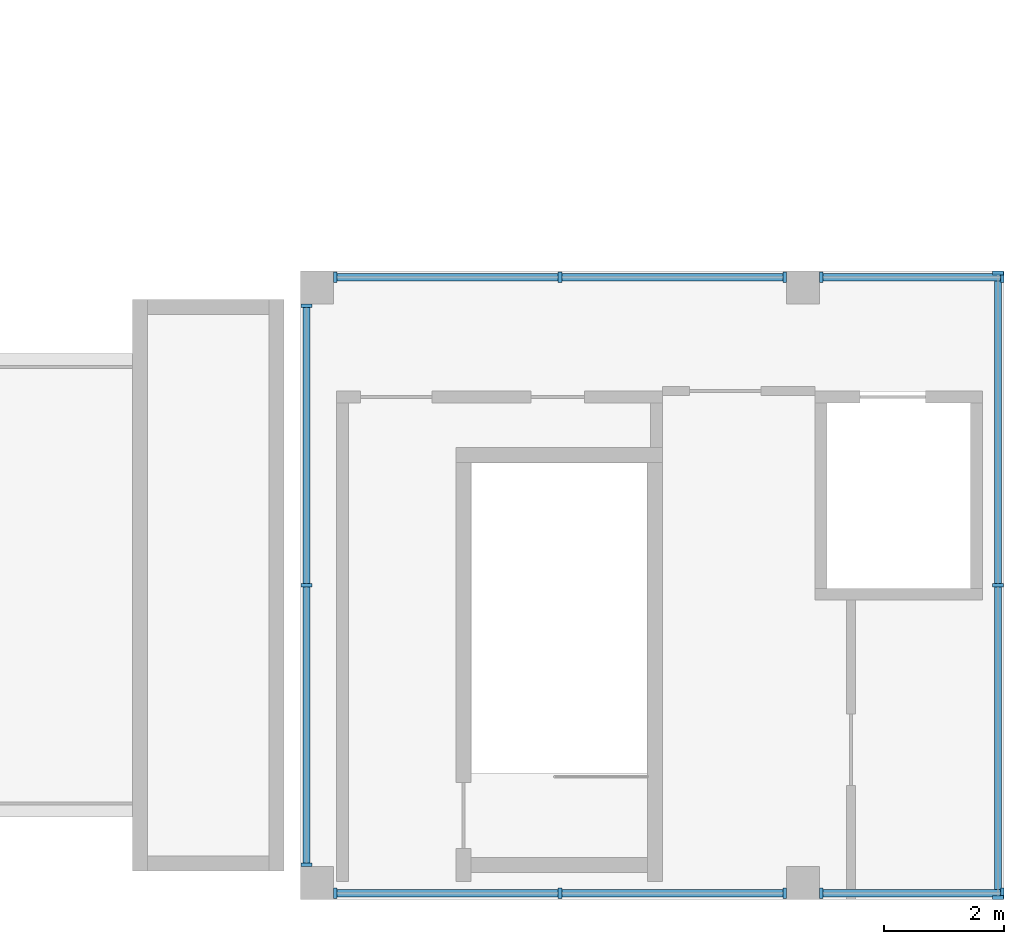
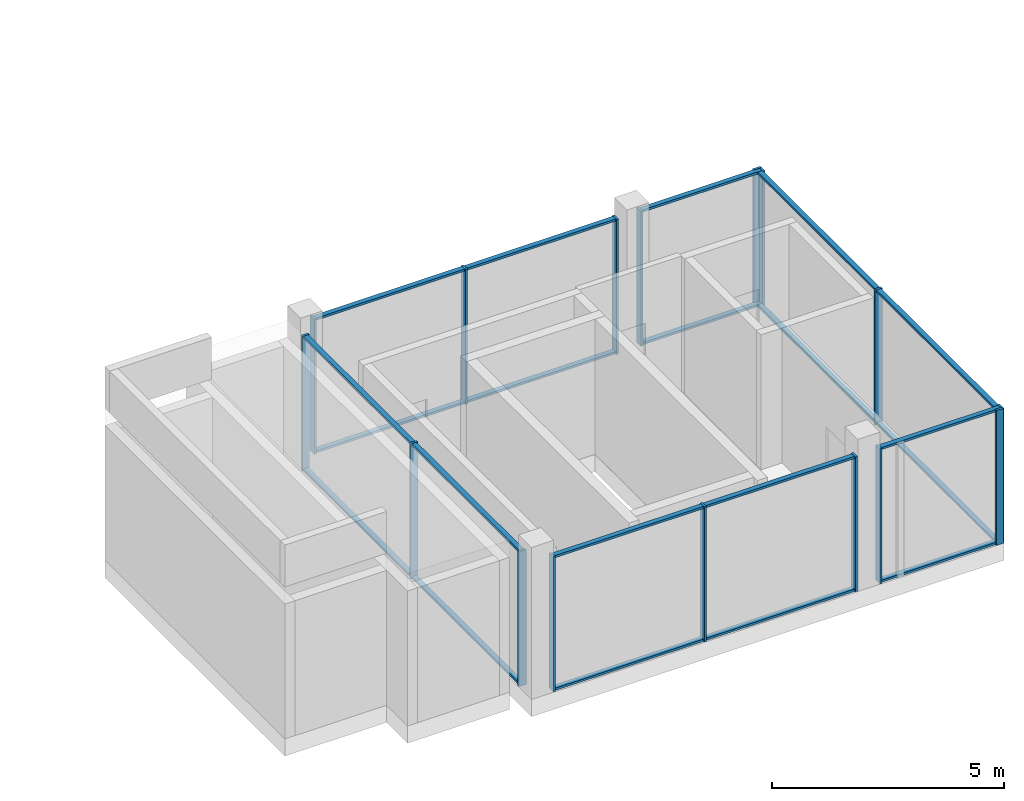
# One storey, part 2 of 6: 36 members, 6 elements without a shape of their own.
"""IFC4 building model written with IfcOpenShell, lengths in metres."""

import ifcopenshell
import ifcopenshell.guid

model = None  # the IFC model being written
_history = None  # IfcOwnerHistory: only IFC2X3 demands one
_inside = {}  # id of a spatial element -> (the spatial element, [elements in it])
_under = {}  # id of a project, library or spatial element -> (it, [spatial elements below it])
_declared = {}  # id of a project -> (the project, [libraries it declares])
_typed = {}  # id of a type object -> (the type object, [elements of that type])
_made_of = {}  # id of a material, layer set ... -> (it, [elements and type objects made of it])


def new_model(schema):
    """Start an empty IFC model of exactly this schema.

    Asked for "IFC4X3", IfcOpenShell would pick the latest addendum, in which some entities
    have other attributes; the version numbers below select the first issue.
    IFC2X3 requires an IfcOwnerHistory on every rooted entity: one is made here for all.
    """
    global model, _history
    if schema == "IFC4X3":
        model = ifcopenshell.file(schema_version=(4, 3, 0, 0))
    else:
        model = ifcopenshell.file(schema=schema)
    _inside.clear()
    _under.clear()
    _declared.clear()
    _typed.clear()
    _made_of.clear()
    _history = None
    if model.schema == "IFC2X3":
        org = make("IfcOrganization", Name="unknown")
        user = make(
            "IfcPersonAndOrganization",
            ThePerson=make("IfcPerson", FamilyName="unknown"),
            TheOrganization=org,
        )
        app = make(
            "IfcApplication",
            ApplicationDeveloper=org,
            Version="unknown",
            ApplicationFullName="unknown",
            ApplicationIdentifier="unknown",
        )
        _history = make(
            "IfcOwnerHistory",
            OwningUser=user,
            OwningApplication=app,
            ChangeAction="ADDED",
            CreationDate=0,
        )
    return model


def make(cls, **values):
    """One entity of the class cls with the attributes given. An attribute that is None is left unset."""
    return model.create_entity(
        cls, **{name: value for name, value in values.items() if value is not None}
    )


def rooted(cls, **values):
    """An entity with a GlobalId (a new one), such as an element, a storey or a relation."""
    return make(cls, GlobalId=ifcopenshell.guid.new(), OwnerHistory=_history, **values)


def si_unit(unit_type, name, prefix=None):
    """IfcSIUnit, for example si_unit("LENGTHUNIT", "METRE", prefix="MILLI")."""
    return make("IfcSIUnit", UnitType=unit_type, Prefix=prefix, Name=name)


def assignment(units):
    """IfcUnitAssignment: the units of a project."""
    return None if units is None else make("IfcUnitAssignment", Units=units)


def point(xyz):
    """IfcCartesianPoint."""
    return None if xyz is None else make("IfcCartesianPoint", Coordinates=xyz)


def direction(xyz):
    """IfcDirection."""
    return None if xyz is None else make("IfcDirection", DirectionRatios=xyz)


def frame(location, z_axis=None, x_axis=None):
    """IfcAxis2Placement3D, a coordinate frame: its origin and axes. An axis left out is left unset."""
    return make(
        "IfcAxis2Placement3D",
        Location=point(location),
        Axis=direction(z_axis),
        RefDirection=direction(x_axis),
    )


def frame_2d(location, x_axis=None):
    """IfcAxis2Placement2D, a coordinate frame in the plane: its origin and x axis."""
    return make(
        "IfcAxis2Placement2D", Location=point(location), RefDirection=direction(x_axis)
    )


def origin():
    """The frame at (0, 0, 0) with its axes left unset."""
    return frame((0.0, 0.0, 0.0))


def origin_2d():
    """The frame at (0, 0) in the plane with its x axis left unset."""
    return frame_2d((0.0, 0.0))


def place(relative_to, where):
    """IfcLocalPlacement: puts the frame where relative to a parent placement (None: the world)."""
    return make(
        "IfcLocalPlacement", PlacementRelTo=relative_to, RelativePlacement=where
    )


def context(
    kind, dimensions, precision=None, world=None, true_north=None, identifier=None
):
    """IfcGeometricRepresentationContext, for example the 3D "Model" context."""
    return make(
        "IfcGeometricRepresentationContext",
        ContextIdentifier=identifier,
        ContextType=kind,
        CoordinateSpaceDimension=dimensions,
        Precision=precision,
        WorldCoordinateSystem=world,
        TrueNorth=true_north,
    )


def subcontext(parent, identifier, kind, view, scale=None):
    """IfcGeometricRepresentationSubContext, for example "Body" below "Model"."""
    return make(
        "IfcGeometricRepresentationSubContext",
        ContextIdentifier=identifier,
        ContextType=kind,
        ParentContext=parent,
        TargetScale=scale,
        TargetView=view,
    )


def project(units=None, contexts=None):
    """IfcProject with its units and contexts."""
    return rooted(
        "IfcProject",
        Name="project",
        RepresentationContexts=contexts,
        UnitsInContext=assignment(units),
    )


def spatial(cls, under=None, at=None, **own):
    """A site, building, storey or space (cls), placed at a placement, below another one or the project."""
    s = rooted(cls, ObjectPlacement=at, **own)
    if under is not None:
        _under.setdefault(under.id(), (under, []))[1].append(s)
    return s


def profile(cls, at=None, kind="AREA", **sizes):
    """A parametric profile (cls). Its sizes go by their IFC names, for example OverallWidth=200.0."""
    return make(cls, ProfileType=kind, Position=at, **sizes)


def rectangle(**sizes):
    """IfcRectangleProfileDef."""
    return profile("IfcRectangleProfileDef", **sizes)


def extrude(swept, where, along, depth):
    """IfcExtrudedAreaSolid: the profile swept, set in the frame where, extruded along a direction by depth."""
    return make(
        "IfcExtrudedAreaSolid",
        SweptArea=swept,
        Position=where,
        ExtrudedDirection=direction(along),
        Depth=depth,
    )


def shape(context_of_items, identifier, shape_type, items):
    """IfcShapeRepresentation: the items that make up one representation, for example the "Body"."""
    return make(
        "IfcShapeRepresentation",
        ContextOfItems=context_of_items,
        RepresentationIdentifier=identifier,
        RepresentationType=shape_type,
        Items=items,
    )


def source(mapping_origin, context_of_items, identifier, shape_type, items):
    """IfcRepresentationMap: a shape defined once, which mapped items show again and again."""
    return make(
        "IfcRepresentationMap",
        MappingOrigin=mapping_origin,
        MappedRepresentation=shape(context_of_items, identifier, shape_type, items),
    )


def transform(
    local_origin,
    x_axis=None,
    y_axis=None,
    z_axis=None,
    scale=None,
    scale2=None,
    scale3=None,
    uniform=True,
):
    """IfcCartesianTransformationOperator3D, or its non-uniform kind. x_axis, y_axis, z_axis: its Axis1, 2, 3."""
    if uniform:
        return make(
            "IfcCartesianTransformationOperator3D",
            Axis1=direction(x_axis),
            Axis2=direction(y_axis),
            LocalOrigin=point(local_origin),
            Scale=scale,
            Axis3=direction(z_axis),
        )
    return make(
        "IfcCartesianTransformationOperator3DnonUniform",
        Axis1=direction(x_axis),
        Axis2=direction(y_axis),
        LocalOrigin=point(local_origin),
        Scale=scale,
        Axis3=direction(z_axis),
        Scale2=scale2,
        Scale3=scale3,
    )


def mapped(mapping_source, mapping_target):
    """IfcMappedItem: shows the shape of a source again, moved by a transform."""
    return make(
        "IfcMappedItem", MappingSource=mapping_source, MappingTarget=mapping_target
    )


def material(Name=None, Category=None):
    """IfcMaterial."""
    return make("IfcMaterial", Name=Name, Category=Category)


def layer(
    of_material, thickness, ventilated=None, Name=None, Category=None, Priority=None
):
    """IfcMaterialLayer: one layer of a wall or slab, of a material (None: an air gap)."""
    return make(
        "IfcMaterialLayer",
        Material=of_material,
        LayerThickness=thickness,
        IsVentilated=ventilated,
        Name=Name,
        Category=Category,
        Priority=Priority,
    )


def layer_set(layers, Name=None):
    """IfcMaterialLayerSet."""
    return make("IfcMaterialLayerSet", MaterialLayers=layers, LayerSetName=Name)


def material_profile(
    of_material, cross_section, Name=None, Category=None, Priority=None
):
    """IfcMaterialProfile: a cross section and its material."""
    return make(
        "IfcMaterialProfile",
        Name=Name,
        Material=of_material,
        Profile=cross_section,
        Priority=Priority,
        Category=Category,
    )


def profile_set(profiles, Name=None, composite=None):
    """IfcMaterialProfileSet."""
    return make(
        "IfcMaterialProfileSet",
        Name=Name,
        MaterialProfiles=profiles,
        CompositeProfile=composite,
    )


def made_of(thing, what):
    """Note that an element or type object is made of a material, layer set ...; save() writes the relation."""
    if what is not None:
        _made_of.setdefault(what.id(), (what, []))[1].append(thing)
    return thing


def type_object(cls, material=None, **own):
    """A type object (cls), such as IfcWallType, which elements share."""
    return made_of(rooted(cls, **own), material)


def element(
    cls,
    number,
    at=None,
    inside=None,
    cuts=None,
    type_object=None,
    material=None,
    context=None,
    identifier="Body",
    shape_type=None,
    held_by="IfcProductDefinitionShape",
    body=None,
    shapes=None,
    **own,
):
    """One element of the class cls, such as IfcWall. Its Tag is "e" and its number.

    at: its placement. inside: the storey or other place that contains it. cuts: it is an
    opening in that element (IfcRelVoidsElement). A single representation is given by context,
    identifier, shape_type and body (its items); several are given by shapes. held_by: the class
    of the entity that holds the representations. save() writes the other relations.
    """
    e = rooted(cls, Tag="e%d" % number, ObjectPlacement=at, **own)
    if body is not None:
        shapes = [shape(context, identifier, shape_type, body)]
    if shapes is not None:
        e.Representation = make(held_by, Representations=shapes)
    if inside is not None:
        _inside.setdefault(inside.id(), (inside, []))[1].append(e)
    if cuts is not None:
        rooted(
            "IfcRelVoidsElement", RelatingBuildingElement=cuts, RelatedOpeningElement=e
        )
    if type_object is not None:
        _typed.setdefault(type_object.id(), (type_object, []))[1].append(e)
    return made_of(e, material)


def aggregate(whole, parts):
    """IfcRelAggregates: a whole, such as a stair, and the parts it consists of."""
    return rooted("IfcRelAggregates", RelatingObject=whole, RelatedObjects=parts)


def save(model, path):
    """Write the relations noted so far, then the file.

    IfcRelAggregates (storeys below a building ...), IfcRelContainedInSpatialStructure (elements
    in a storey), IfcRelDefinesByType, IfcRelAssociatesMaterial and IfcRelDeclares: one each for
    every whole, place, type object, material and project.
    """
    for whole, parts in _under.values():
        aggregate(whole, parts)
    for where, things in _inside.values():
        rooted(
            "IfcRelContainedInSpatialStructure",
            RelatedElements=things,
            RelatingStructure=where,
        )
    for kind, things in _typed.values():
        rooted("IfcRelDefinesByType", RelatedObjects=things, RelatingType=kind)
    for what, things in _made_of.values():
        rooted("IfcRelAssociatesMaterial", RelatedObjects=things, RelatingMaterial=what)
    for by, libraries in _declared.values():
        rooted("IfcRelDeclares", RelatingContext=by, RelatedDefinitions=libraries)
    model.write(path)


model = new_model("IFC4")

# Units and contexts
model_context = context("Model", 3, precision=1e-05, world=origin(), true_north=direction((0.0, 1.0)))
body_context = subcontext(model_context, "Body", "Model", "MODEL_VIEW")
ifc_project = project(units=[si_unit("LENGTHUNIT", "METRE"), si_unit("AREAUNIT", "SQUARE_METRE"), si_unit("VOLUMEUNIT", "CUBIC_METRE"), si_unit("PLANEANGLEUNIT", "RADIAN"), si_unit("MASSUNIT", "GRAM", prefix="KILO")], contexts=[model_context])

# Site, building, storey
site_placement = place(None, origin())
site = spatial("IfcSite", under=ifc_project, at=site_placement, CompositionType="ELEMENT")
building_placement = place(site_placement, origin())
building = spatial("IfcBuilding", under=site, at=building_placement, Name="Aurelian Terraces", CompositionType="ELEMENT")
storey_placement = place(building_placement, frame((0.0, 0.0, 380.5)))
storey = spatial("IfcBuildingStorey", under=building, at=storey_placement, Name="L91", CompositionType="ELEMENT", Elevation=380.5)

# Curtain wall, members
ifc_material_1 = material(Name="Anodised aluminium and clear glazing", Category="aluminium")
ifc_layer = layer(ifc_material_1, 0.2)
ifc_layer_set = layer_set([ifc_layer], Name="Crown glazing curtain wall")
curtain_wall_type = type_object("IfcCurtainWallType", Name="Crown glazing curtain wall", PredefinedType="NOTDEFINED", material=ifc_layer_set)
curtain_wall_1_placement = place(storey_placement, origin())
curtain_wall_1 = element("IfcCurtainWall", 1, at=curtain_wall_1_placement, inside=storey, type_object=curtain_wall_type, Name="Crown glazing L91 F01.1", PredefinedType="NOTDEFINED")
ifc_material_2 = material(Name="Anodised aluminium", Category="aluminium")
ifc_material_profile_1 = material_profile(ifc_material_2, rectangle(XDim=0.18, YDim=0.06, at=origin_2d()))
ifc_profile_set_1 = profile_set([ifc_material_profile_1], Name="Anodised aluminium")
member_type_1 = type_object("IfcMemberType", Name="Crown glazing mullion", PredefinedType="MULLION", material=ifc_profile_set_1)
member_1_placement = place(storey_placement, frame((38.38, 0.1, 0.0), z_axis=(0.0, 0.0, 1.0), x_axis=(0.0, 1.0, 0.0)))
member_1 = element("IfcMember", 2, at=member_1_placement, type_object=member_type_1, Name="CW4 mullion 1", PredefinedType="MULLION", context=body_context, shape_type="SweptSolid", body=[
    extrude(rectangle(XDim=0.18, YDim=0.06, at=origin_2d()), origin(), (0.0, 0.0, 1.0), 3.55),
])
ifc_material_profile_2 = material_profile(ifc_material_2, rectangle(XDim=0.12, YDim=0.06, at=origin_2d()))
ifc_profile_set_2 = profile_set([ifc_material_profile_2], Name="Anodised aluminium")
member_type_2 = type_object("IfcMemberType", Name="Crown glazing transom", PredefinedType="USERDEFINED", material=ifc_profile_set_2)
member_2_placement = place(storey_placement, frame((38.41, 0.1, 0.03), z_axis=(1.0, 0.0, 0.0), x_axis=(0.0, 1.0, 0.0)))
member_2 = element("IfcMember", 3, at=member_2_placement, type_object=member_type_2, Name="CW4 transom 1.1", ObjectType="TRANSOM", PredefinedType="USERDEFINED", context=body_context, shape_type="SweptSolid", body=[
    extrude(rectangle(XDim=0.12, YDim=0.06, at=origin_2d()), origin(), (0.0, 0.0, 1.0), 3.6975),
])

# Curtain wall, member
curtain_wall_2_placement = place(storey_placement, origin())
curtain_wall_2 = element("IfcCurtainWall", 4, at=curtain_wall_2_placement, inside=storey, type_object=curtain_wall_type, Name="Crown glazing L91 F01.2", PredefinedType="NOTDEFINED")
member_3_placement = place(storey_placement, frame((46.535, 0.1, 0.03), z_axis=(1.0, 0.0, 0.0), x_axis=(0.0, 1.0, 0.0)))
member_3 = element("IfcMember", 5, at=member_3_placement, type_object=member_type_2, Name="CW4 transom 1.1", ObjectType="TRANSOM", PredefinedType="USERDEFINED", context=body_context, shape_type="SweptSolid", body=[
    extrude(rectangle(XDim=0.12, YDim=0.06, at=origin_2d()), origin(), (0.0, 0.0, 1.0), 2.965),
])

curtain_wall_3_placement = place(storey_placement, origin())
curtain_wall_3 = element("IfcCurtainWall", 6, at=curtain_wall_3_placement, inside=storey, type_object=curtain_wall_type, Name="Crown glazing L91 F02.1", PredefinedType="NOTDEFINED")
member_4_placement = place(storey_placement, frame((49.46, 0.06, 0.03), z_axis=(0.0, 1.0, 0.0), x_axis=(-1.0, 0.0, 0.0)))
member_4 = element("IfcMember", 7, at=member_4_placement, type_object=member_type_2, Name="CW4 transom 1.1", ObjectType="TRANSOM", PredefinedType="USERDEFINED", context=body_context, shape_type="SweptSolid", body=[
    extrude(rectangle(XDim=0.12, YDim=0.06, at=origin_2d()), origin(), (0.0, 0.0, 1.0), 5.16),
])

curtain_wall_4_placement = place(storey_placement, origin())
curtain_wall_4 = element("IfcCurtainWall", 8, at=curtain_wall_4_placement, inside=storey, type_object=curtain_wall_type, Name="Crown glazing L91 F04.1", PredefinedType="NOTDEFINED")
member_5_placement = place(storey_placement, frame((37.9, 9.89, 0.03), z_axis=(0.0, -1.0, 0.0), x_axis=(1.0, 0.0, 0.0)))
member_5 = element("IfcMember", 9, at=member_5_placement, type_object=member_type_2, Name="CW4 transom 1.1", ObjectType="TRANSOM", PredefinedType="USERDEFINED", context=body_context, shape_type="SweptSolid", body=[
    extrude(rectangle(XDim=0.12, YDim=0.06, at=origin_2d()), origin(), (0.0, 0.0, 1.0), 4.61),
])

# Member
shared_shape_1 = source(origin(), body_context, "Body", "SweptSolid", [
    extrude(rectangle(XDim=0.18, YDim=0.06, at=origin_2d()), origin(), (0.0, 0.0, 1.0), 3.55),
])
member_6_placement = place(storey_placement, frame((42.1375, 0.1, 0.0), z_axis=(0.0, 0.0, 1.0), x_axis=(0.0, 1.0, 0.0)))
member_6 = element("IfcMember", 10, at=member_6_placement, type_object=member_type_1, Name="CW4 mullion 2", PredefinedType="MULLION", context=body_context, shape_type="MappedRepresentation", body=[
    mapped(shared_shape_1, transform((0.0, 0.0, 0.0), scale=1.0)),
])

member_7_placement = place(storey_placement, frame((45.895, 0.1, 0.0), z_axis=(0.0, 0.0, 1.0), x_axis=(0.0, 1.0, 0.0)))
member_7 = element("IfcMember", 11, at=member_7_placement, type_object=member_type_1, Name="CW4 mullion 3", PredefinedType="MULLION", context=body_context, shape_type="MappedRepresentation", body=[
    mapped(shared_shape_1, transform((0.0, 0.0, 0.0), scale=1.0)),
])

member_8_placement = place(storey_placement, frame((46.505, 0.1, 0.0), z_axis=(0.0, 0.0, 1.0), x_axis=(0.0, 1.0, 0.0)))
member_8 = element("IfcMember", 12, at=member_8_placement, type_object=member_type_1, Name="CW4 mullion 1", PredefinedType="MULLION", context=body_context, shape_type="MappedRepresentation", body=[
    mapped(shared_shape_1, transform((0.0, 0.0, 0.0), scale=1.0)),
])

member_9_placement = place(storey_placement, frame((49.53, 0.1, 0.0), z_axis=(0.0, 0.0, 1.0), x_axis=(0.0, 1.0, 0.0)))
member_9 = element("IfcMember", 13, at=member_9_placement, type_object=member_type_1, Name="CW4 mullion 2", PredefinedType="MULLION", context=body_context, shape_type="MappedRepresentation", body=[
    mapped(shared_shape_1, transform((0.0, 0.0, 0.0), scale=1.0)),
])

member_10_placement = place(storey_placement, frame((49.46, 0.03, 0.0), z_axis=(0.0, 0.0, 1.0), x_axis=(-1.0, 0.0, 0.0)))
member_10 = element("IfcMember", 14, at=member_10_placement, type_object=member_type_1, Name="CW4 mullion 1", PredefinedType="MULLION", context=body_context, shape_type="MappedRepresentation", body=[
    mapped(shared_shape_1, transform((0.0, 0.0, 0.0), scale=1.0)),
])

member_11_placement = place(storey_placement, frame((49.46, 5.25, 0.0), z_axis=(0.0, 0.0, 1.0), x_axis=(-1.0, 0.0, 0.0)))
member_11 = element("IfcMember", 15, at=member_11_placement, type_object=member_type_1, Name="CW4 mullion 2", PredefinedType="MULLION", context=body_context, shape_type="MappedRepresentation", body=[
    mapped(shared_shape_1, transform((0.0, 0.0, 0.0), scale=1.0)),
])

member_12_placement = place(storey_placement, frame((49.46, 10.47, 0.0), z_axis=(0.0, 0.0, 1.0), x_axis=(-1.0, 0.0, 0.0)))
member_12 = element("IfcMember", 16, at=member_12_placement, type_object=member_type_1, Name="CW4 mullion 3", PredefinedType="MULLION", context=body_context, shape_type="MappedRepresentation", body=[
    mapped(shared_shape_1, transform((0.0, 0.0, 0.0), scale=1.0)),
])

# Curtain wall, members
curtain_wall_5_placement = place(storey_placement, origin())
curtain_wall_5 = element("IfcCurtainWall", 17, at=curtain_wall_5_placement, inside=storey, type_object=curtain_wall_type, Name="Crown glazing L91 F03.1", PredefinedType="NOTDEFINED")
member_13_placement = place(storey_placement, frame((49.53, 10.4, 0.0), z_axis=(0.0, 0.0, 1.0), x_axis=(0.0, -1.0, 0.0)))
member_13 = element("IfcMember", 18, at=member_13_placement, type_object=member_type_1, Name="CW4 mullion 1", PredefinedType="MULLION", context=body_context, shape_type="MappedRepresentation", body=[
    mapped(shared_shape_1, transform((0.0, 0.0, 0.0), scale=1.0)),
])
member_14_placement = place(storey_placement, frame((46.505, 10.4, 0.0), z_axis=(0.0, 0.0, 1.0), x_axis=(0.0, -1.0, 0.0)))
member_14 = element("IfcMember", 19, at=member_14_placement, type_object=member_type_1, Name="CW4 mullion 2", PredefinedType="MULLION", context=body_context, shape_type="MappedRepresentation", body=[
    mapped(shared_shape_1, transform((0.0, 0.0, 0.0), scale=1.0)),
])

curtain_wall_6_placement = place(storey_placement, origin())
curtain_wall_6 = element("IfcCurtainWall", 20, at=curtain_wall_6_placement, inside=storey, type_object=curtain_wall_type, Name="Crown glazing L91 F03.2", PredefinedType="NOTDEFINED")
member_15_placement = place(storey_placement, frame((45.895, 10.4, 0.0), z_axis=(0.0, 0.0, 1.0), x_axis=(0.0, -1.0, 0.0)))
member_15 = element("IfcMember", 21, at=member_15_placement, type_object=member_type_1, Name="CW4 mullion 1", PredefinedType="MULLION", context=body_context, shape_type="MappedRepresentation", body=[
    mapped(shared_shape_1, transform((0.0, 0.0, 0.0), scale=1.0)),
])
member_16_placement = place(storey_placement, frame((42.1375, 10.4, 0.0), z_axis=(0.0, 0.0, 1.0), x_axis=(0.0, -1.0, 0.0)))
member_16 = element("IfcMember", 22, at=member_16_placement, type_object=member_type_1, Name="CW4 mullion 2", PredefinedType="MULLION", context=body_context, shape_type="MappedRepresentation", body=[
    mapped(shared_shape_1, transform((0.0, 0.0, 0.0), scale=1.0)),
])
member_17_placement = place(storey_placement, frame((38.38, 10.4, 0.0), z_axis=(0.0, 0.0, 1.0), x_axis=(0.0, -1.0, 0.0)))
member_17 = element("IfcMember", 23, at=member_17_placement, type_object=member_type_1, Name="CW4 mullion 3", PredefinedType="MULLION", context=body_context, shape_type="MappedRepresentation", body=[
    mapped(shared_shape_1, transform((0.0, 0.0, 0.0), scale=1.0)),
])

# Member
member_18_placement = place(storey_placement, frame((37.9, 9.92, 0.0), z_axis=(0.0, 0.0, 1.0), x_axis=(1.0, 0.0, 0.0)))
member_18 = element("IfcMember", 24, at=member_18_placement, type_object=member_type_1, Name="CW4 mullion 1", PredefinedType="MULLION", context=body_context, shape_type="MappedRepresentation", body=[
    mapped(shared_shape_1, transform((0.0, 0.0, 0.0), scale=1.0)),
])

member_19_placement = place(storey_placement, frame((37.9, 5.25, 0.0), z_axis=(0.0, 0.0, 1.0), x_axis=(1.0, 0.0, 0.0)))
member_19 = element("IfcMember", 25, at=member_19_placement, type_object=member_type_1, Name="CW4 mullion 2", PredefinedType="MULLION", context=body_context, shape_type="MappedRepresentation", body=[
    mapped(shared_shape_1, transform((0.0, 0.0, 0.0), scale=1.0)),
])

member_20_placement = place(storey_placement, frame((37.9, 0.58, 0.0), z_axis=(0.0, 0.0, 1.0), x_axis=(1.0, 0.0, 0.0)))
member_20 = element("IfcMember", 26, at=member_20_placement, type_object=member_type_1, Name="CW4 mullion 3", PredefinedType="MULLION", context=body_context, shape_type="MappedRepresentation", body=[
    mapped(shared_shape_1, transform((0.0, 0.0, 0.0), scale=1.0)),
])

shared_shape_2 = source(origin(), body_context, "Body", "SweptSolid", [
    extrude(rectangle(XDim=0.12, YDim=0.06, at=origin_2d()), origin(), (0.0, 0.0, 1.0), 3.6975),
])
member_21_placement = place(storey_placement, frame((38.41, 0.1, 3.52), z_axis=(1.0, 0.0, 0.0), x_axis=(0.0, 1.0, 0.0)))
member_21 = element("IfcMember", 27, at=member_21_placement, type_object=member_type_2, Name="CW4 transom 1.2", ObjectType="TRANSOM", PredefinedType="USERDEFINED", context=body_context, shape_type="MappedRepresentation", body=[
    mapped(shared_shape_2, transform((0.0, 0.0, 0.0), scale=1.0)),
])

member_22_placement = place(storey_placement, frame((42.1675, 0.1, 0.03), z_axis=(1.0, 0.0, 0.0), x_axis=(0.0, 1.0, 0.0)))
member_22 = element("IfcMember", 28, at=member_22_placement, type_object=member_type_2, Name="CW4 transom 2.1", ObjectType="TRANSOM", PredefinedType="USERDEFINED", context=body_context, shape_type="MappedRepresentation", body=[
    mapped(shared_shape_2, transform((0.0, 0.0, 0.0), scale=1.0)),
])

member_23_placement = place(storey_placement, frame((42.1675, 0.1, 3.52), z_axis=(1.0, 0.0, 0.0), x_axis=(0.0, 1.0, 0.0)))
member_23 = element("IfcMember", 29, at=member_23_placement, type_object=member_type_2, Name="CW4 transom 2.2", ObjectType="TRANSOM", PredefinedType="USERDEFINED", context=body_context, shape_type="MappedRepresentation", body=[
    mapped(shared_shape_2, transform((0.0, 0.0, 0.0), scale=1.0)),
])

aggregate(curtain_wall_1, [member_1, member_6, member_7, member_2, member_21, member_22, member_23])

member_24_placement = place(storey_placement, frame((45.865, 10.4, 0.03), z_axis=(-1.0, 0.0, 0.0), x_axis=(0.0, -1.0, 0.0)))
member_24 = element("IfcMember", 30, at=member_24_placement, type_object=member_type_2, Name="CW4 transom 1.1", ObjectType="TRANSOM", PredefinedType="USERDEFINED", context=body_context, shape_type="MappedRepresentation", body=[
    mapped(shared_shape_2, transform((0.0, 0.0, 0.0), scale=1.0)),
])

member_25_placement = place(storey_placement, frame((45.865, 10.4, 3.52), z_axis=(-1.0, 0.0, 0.0), x_axis=(0.0, -1.0, 0.0)))
member_25 = element("IfcMember", 31, at=member_25_placement, type_object=member_type_2, Name="CW4 transom 1.2", ObjectType="TRANSOM", PredefinedType="USERDEFINED", context=body_context, shape_type="MappedRepresentation", body=[
    mapped(shared_shape_2, transform((0.0, 0.0, 0.0), scale=1.0)),
])

member_26_placement = place(storey_placement, frame((42.1075, 10.4, 0.03), z_axis=(-1.0, 0.0, 0.0), x_axis=(0.0, -1.0, 0.0)))
member_26 = element("IfcMember", 32, at=member_26_placement, type_object=member_type_2, Name="CW4 transom 2.1", ObjectType="TRANSOM", PredefinedType="USERDEFINED", context=body_context, shape_type="MappedRepresentation", body=[
    mapped(shared_shape_2, transform((0.0, 0.0, 0.0), scale=1.0)),
])

member_27_placement = place(storey_placement, frame((42.1075, 10.4, 3.52), z_axis=(-1.0, 0.0, 0.0), x_axis=(0.0, -1.0, 0.0)))
member_27 = element("IfcMember", 33, at=member_27_placement, type_object=member_type_2, Name="CW4 transom 2.2", ObjectType="TRANSOM", PredefinedType="USERDEFINED", context=body_context, shape_type="MappedRepresentation", body=[
    mapped(shared_shape_2, transform((0.0, 0.0, 0.0), scale=1.0)),
])

aggregate(curtain_wall_6, [member_15, member_16, member_17, member_24, member_25, member_26, member_27])

shared_shape_3 = source(origin(), body_context, "Body", "SweptSolid", [
    extrude(rectangle(XDim=0.12, YDim=0.06, at=origin_2d()), origin(), (0.0, 0.0, 1.0), 2.965),
])
member_28_placement = place(storey_placement, frame((46.535, 0.1, 3.52), z_axis=(1.0, 0.0, 0.0), x_axis=(0.0, 1.0, 0.0)))
member_28 = element("IfcMember", 34, at=member_28_placement, type_object=member_type_2, Name="CW4 transom 1.2", ObjectType="TRANSOM", PredefinedType="USERDEFINED", context=body_context, shape_type="MappedRepresentation", body=[
    mapped(shared_shape_3, transform((0.0, 0.0, 0.0), scale=1.0)),
])

aggregate(curtain_wall_2, [member_8, member_9, member_3, member_28])

member_29_placement = place(storey_placement, frame((49.5, 10.4, 0.03), z_axis=(-1.0, 0.0, 0.0), x_axis=(0.0, -1.0, 0.0)))
member_29 = element("IfcMember", 35, at=member_29_placement, type_object=member_type_2, Name="CW4 transom 1.1", ObjectType="TRANSOM", PredefinedType="USERDEFINED", context=body_context, shape_type="MappedRepresentation", body=[
    mapped(shared_shape_3, transform((0.0, 0.0, 0.0), scale=1.0)),
])

member_30_placement = place(storey_placement, frame((49.5, 10.4, 3.52), z_axis=(-1.0, 0.0, 0.0), x_axis=(0.0, -1.0, 0.0)))
member_30 = element("IfcMember", 36, at=member_30_placement, type_object=member_type_2, Name="CW4 transom 1.2", ObjectType="TRANSOM", PredefinedType="USERDEFINED", context=body_context, shape_type="MappedRepresentation", body=[
    mapped(shared_shape_3, transform((0.0, 0.0, 0.0), scale=1.0)),
])

aggregate(curtain_wall_5, [member_13, member_14, member_29, member_30])

shared_shape_4 = source(origin(), body_context, "Body", "SweptSolid", [
    extrude(rectangle(XDim=0.12, YDim=0.06, at=origin_2d()), origin(), (0.0, 0.0, 1.0), 5.16),
])
member_31_placement = place(storey_placement, frame((49.46, 0.06, 3.52), z_axis=(0.0, 1.0, 0.0), x_axis=(-1.0, 0.0, 0.0)))
member_31 = element("IfcMember", 37, at=member_31_placement, type_object=member_type_2, Name="CW4 transom 1.2", ObjectType="TRANSOM", PredefinedType="USERDEFINED", context=body_context, shape_type="MappedRepresentation", body=[
    mapped(shared_shape_4, transform((0.0, 0.0, 0.0), scale=1.0)),
])

member_32_placement = place(storey_placement, frame((49.46, 5.28, 0.03), z_axis=(0.0, 1.0, 0.0), x_axis=(-1.0, 0.0, 0.0)))
member_32 = element("IfcMember", 38, at=member_32_placement, type_object=member_type_2, Name="CW4 transom 2.1", ObjectType="TRANSOM", PredefinedType="USERDEFINED", context=body_context, shape_type="MappedRepresentation", body=[
    mapped(shared_shape_4, transform((0.0, 0.0, 0.0), scale=1.0)),
])

member_33_placement = place(storey_placement, frame((49.46, 5.28, 3.52), z_axis=(0.0, 1.0, 0.0), x_axis=(-1.0, 0.0, 0.0)))
member_33 = element("IfcMember", 39, at=member_33_placement, type_object=member_type_2, Name="CW4 transom 2.2", ObjectType="TRANSOM", PredefinedType="USERDEFINED", context=body_context, shape_type="MappedRepresentation", body=[
    mapped(shared_shape_4, transform((0.0, 0.0, 0.0), scale=1.0)),
])

aggregate(curtain_wall_3, [member_10, member_11, member_12, member_4, member_31, member_32, member_33])

shared_shape_5 = source(origin(), body_context, "Body", "SweptSolid", [
    extrude(rectangle(XDim=0.12, YDim=0.06, at=origin_2d()), origin(), (0.0, 0.0, 1.0), 4.61),
])
member_34_placement = place(storey_placement, frame((37.9, 9.89, 3.52), z_axis=(0.0, -1.0, 0.0), x_axis=(1.0, 0.0, 0.0)))
member_34 = element("IfcMember", 40, at=member_34_placement, type_object=member_type_2, Name="CW4 transom 1.2", ObjectType="TRANSOM", PredefinedType="USERDEFINED", context=body_context, shape_type="MappedRepresentation", body=[
    mapped(shared_shape_5, transform((0.0, 0.0, 0.0), scale=1.0)),
])

member_35_placement = place(storey_placement, frame((37.9, 5.22, 0.03), z_axis=(0.0, -1.0, 0.0), x_axis=(1.0, 0.0, 0.0)))
member_35 = element("IfcMember", 41, at=member_35_placement, type_object=member_type_2, Name="CW4 transom 2.1", ObjectType="TRANSOM", PredefinedType="USERDEFINED", context=body_context, shape_type="MappedRepresentation", body=[
    mapped(shared_shape_5, transform((0.0, 0.0, 0.0), scale=1.0)),
])

member_36_placement = place(storey_placement, frame((37.9, 5.22, 3.52), z_axis=(0.0, -1.0, 0.0), x_axis=(1.0, 0.0, 0.0)))
member_36 = element("IfcMember", 42, at=member_36_placement, type_object=member_type_2, Name="CW4 transom 2.2", ObjectType="TRANSOM", PredefinedType="USERDEFINED", context=body_context, shape_type="MappedRepresentation", body=[
    mapped(shared_shape_5, transform((0.0, 0.0, 0.0), scale=1.0)),
])

aggregate(curtain_wall_4, [member_18, member_19, member_20, member_5, member_34, member_35, member_36])

save(model, "model.ifc")
